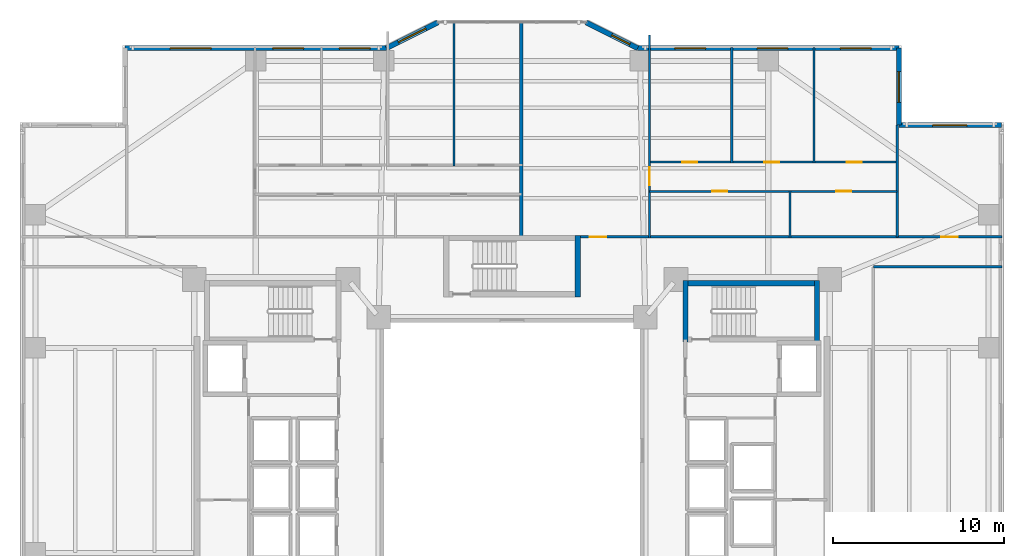
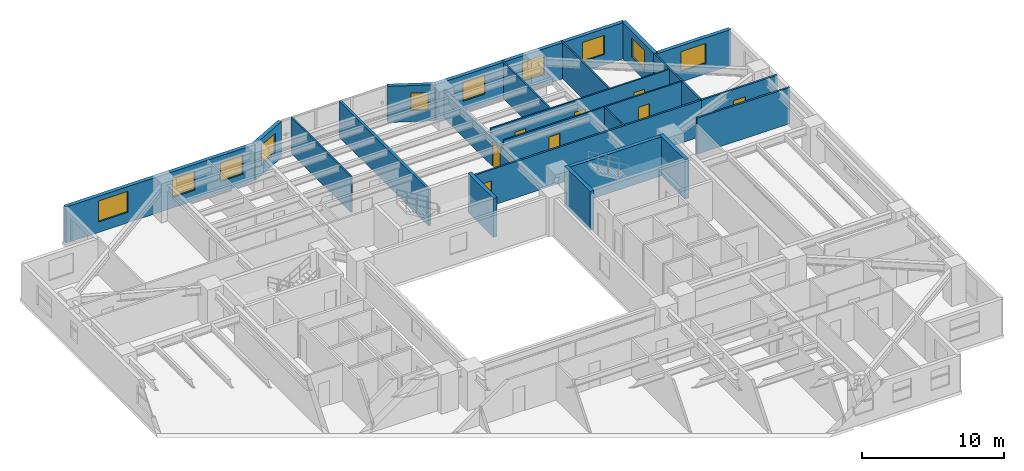
# One storey, part 14 of 20: 23 walls, 10 windows, 8 doors, 18 openings.
"""IFC4 building model written with IfcOpenShell, lengths in metres."""

from ifc_helpers import new_model, si_unit, direction, frame, frame_2d, origin, place, context, subcontext, project, spatial, rectangle, extrude, material, layer, layer_set, type_object, element, fill, save


model = new_model("IFC4")

# Units and contexts
model_context = context("Model", 3, precision=1e-05, world=origin(), true_north=direction((0.0, 1.0)))
body_context = subcontext(model_context, "Body", "Model", "MODEL_VIEW")
ifc_project = project(units=[si_unit("LENGTHUNIT", "METRE"), si_unit("AREAUNIT", "SQUARE_METRE"), si_unit("VOLUMEUNIT", "CUBIC_METRE"), si_unit("PLANEANGLEUNIT", "RADIAN"), si_unit("MASSUNIT", "GRAM", prefix="KILO")], contexts=[model_context])

# Site, building, storey
site_placement = place(None, origin())
site = spatial("IfcSite", under=ifc_project, at=site_placement, CompositionType="ELEMENT")
building_placement = place(site_placement, origin())
building = spatial("IfcBuilding", under=site, at=building_placement, Name="Tarnavaz Court Tower", CompositionType="ELEMENT")
storey_placement = place(building_placement, frame((0.0, 0.0, 30.699951171875)))
storey = spatial("IfcBuildingStorey", under=building, at=storey_placement, Name="L07", CompositionType="ELEMENT", Elevation=30.699951171875)

# Walls
ifc_material_1 = material(Name="Concrete C60/75", Category="concrete")
ifc_layer_1 = layer(ifc_material_1, 0.300048828125)
ifc_layer_set_1 = layer_set([ifc_layer_1], Name="Concrete C60/75")
wall_type_1 = type_object("IfcWallType", Name="WL-CORE-300-C60", PredefinedType="SHEAR", material=ifc_layer_set_1)
wall_1_placement = place(storey_placement, frame((10.0, 9.7900390625, 0.0), z_axis=(0.0, 0.0, 1.0), x_axis=(1.0, 0.0, 0.0)))
element("IfcWall", 1, at=wall_1_placement, inside=storey, type_object=wall_type_1, Name="L07 East Stair Core Wall 005", PredefinedType="SHEAR", context=body_context, shape_type="SweptSolid", body=[
    extrude(rectangle(XDim=8.0, YDim=0.300048828125, at=frame_2d((4.0, 0.0))), origin(), (0.0, 0.0, 1.0), 3.35009765625),
])
for number, where, z_axis, x_axis, name in (
    (2, (10.14990234375, 6.35009765625, 0.0), (0.0, 0.0, 1.0), (0.0, 1.0, 0.0), "L07 East Stair Core Wall 007"),
    (3, (17.85009765625, 6.35009765625, 0.0), (0.0, 0.0, 1.0), (0.0, 1.0, 0.0), "L07 East Stair Core Wall 008"),
):
    element("IfcWall", number, at=place(storey_placement, frame(where, z_axis=z_axis, x_axis=x_axis)), inside=storey, type_object=wall_type_1, Name=name, PredefinedType="SHEAR", context=body_context, shape_type="SweptSolid", body=[
        extrude(rectangle(XDim=3.58984375, YDim=0.300048828125, at=frame_2d((1.794921875, 0.0))), origin(), (0.0, 0.0, 1.0), 3.35009765625),
    ])
wall_2_placement = place(storey_placement, frame((3.85009765625, 9.0, 0.0), z_axis=(0.0, 0.0, 1.0), x_axis=(0.0, 1.0, 0.0)))
element("IfcWall", 4, at=wall_2_placement, inside=storey, type_object=wall_type_1, Name="L07 North Stair Core Wall 012", PredefinedType="SHEAR", context=body_context, shape_type="SweptSolid", body=[
    extrude(rectangle(XDim=3.590087890625, YDim=0.300048828125, at=frame_2d((1.794921875, 0.0))), origin(), (0.0, 0.0, 1.0), 3.35009765625),
])

# Wall, openings, windows
ifc_material_2 = material(Name="Precast Concrete C40/50", Category="concrete")
ifc_layer_2 = layer(ifc_material_2, 0.300048828125)
ifc_layer_set_2 = layer_set([ifc_layer_2], Name="Precast Concrete C40/50")
wall_type_2 = type_object("IfcWallType", Name="WL-EXT-300", PredefinedType="SOLIDWALL", material=ifc_layer_set_2)
wall_3_placement = place(storey_placement, frame((-22.64990234375, 23.550048828125, 0.0), z_axis=(0.0, 0.0, 1.0), x_axis=(1.0, 0.0, 0.0)))
wall_3 = element("IfcWall", 5, at=wall_3_placement, inside=storey, type_object=wall_type_2, Name="L07 Exterior Terracotta Facade Wall 05", PredefinedType="SOLIDWALL", context=body_context, shape_type="SweptSolid", body=[
    extrude(rectangle(XDim=15.2998046875, YDim=0.300048828125, at=frame_2d((7.64990234375, 0.0))), origin(), (0.0, 0.0, 1.0), 3.10009765625),
])
opening_1_placement = place(wall_3_placement, frame((2.637451171875, 0.0, 0.89990234375)))
opening_1 = element("IfcOpeningElement", 6, at=opening_1_placement, cuts=wall_3, Name="Opening W06", PredefinedType="OPENING", context=body_context, shape_type="SweptSolid", body=[
    extrude(rectangle(XDim=2.39990234375, YDim=1.800048828125, at=frame_2d((1.199951171875, 0.89990234375))), frame((0.0, 0.159912109375, 0.0), z_axis=(0.0, -1.0, 0.0), x_axis=(1.0, 0.0, 0.0)), (0.0, 0.0, 1.0), 0.320068359375),
])
opening_2_placement = place(wall_3_placement, frame((8.65625, 0.0, 0.89990234375)))
opening_2 = element("IfcOpeningElement", 7, at=opening_2_placement, cuts=wall_3, Name="Opening W01", PredefinedType="OPENING", context=body_context, shape_type="SweptSolid", body=[
    extrude(rectangle(XDim=1.800048828125, YDim=1.64990234375, at=frame_2d((0.89990234375, 0.824951171875))), frame((0.0, 0.159912109375, 0.0), z_axis=(0.0, -1.0, 0.0), x_axis=(1.0, 0.0, 0.0)), (0.0, 0.0, 1.0), 0.320068359375),
])
opening_3_placement = place(wall_3_placement, frame((12.5439453125, 0.0, 0.89990234375)))
opening_3 = element("IfcOpeningElement", 8, at=opening_3_placement, cuts=wall_3, Name="Opening W01", PredefinedType="OPENING", context=body_context, shape_type="SweptSolid", body=[
    extrude(rectangle(XDim=1.800048828125, YDim=1.64990234375, at=frame_2d((0.89990234375, 0.824951171875))), frame((0.0, 0.159912109375, 0.0), z_axis=(0.0, -1.0, 0.0), x_axis=(1.0, 0.0, 0.0)), (0.0, 0.0, 1.0), 0.320068359375),
])
ifc_material_3 = material(Name="Double-Glazed Solar Low-E Glass", Category="glass")
window_type_1 = type_object("IfcWindowType", Name="WN-APT-1800", PartitioningType="DOUBLE_PANEL_VERTICAL", PredefinedType="WINDOW", material=ifc_material_3)
window_1_placement = place(opening_2_placement, origin())
window_1 = element("IfcWindow", 9, at=window_1_placement, inside=storey, type_object=window_type_1, Name="L07 Flat 01 Principal Bedroom Window", OverallHeight=1.64990234375, OverallWidth=1.800048828125, PartitioningType="SINGLE_PANEL", PredefinedType="WINDOW", context=body_context, shape_type="SweptSolid", body=[
    extrude(rectangle(XDim=1.800048828125, YDim=1.64990234375, at=frame_2d((0.89990234375, 0.824951171875))), frame((0.0, 0.030029296875, 0.0), z_axis=(0.0, -1.0, 0.0), x_axis=(1.0, 0.0, 0.0)), (0.0, 0.0, 1.0), 0.06005859375),
])
fill(opening_2, window_1)
window_2_placement = place(opening_3_placement, origin())
window_2 = element("IfcWindow", 10, at=window_2_placement, inside=storey, type_object=window_type_1, Name="L07 Flat 01 Bedroom 2 Window", OverallHeight=1.64990234375, OverallWidth=1.800048828125, PartitioningType="SINGLE_PANEL", PredefinedType="WINDOW", context=body_context, shape_type="SweptSolid", body=[
    extrude(rectangle(XDim=1.800048828125, YDim=1.64990234375, at=frame_2d((0.89990234375, 0.824951171875))), frame((0.0, 0.030029296875, 0.0), z_axis=(0.0, -1.0, 0.0), x_axis=(1.0, 0.0, 0.0)), (0.0, 0.0, 1.0), 0.06005859375),
])
fill(opening_3, window_2)
window_type_2 = type_object("IfcWindowType", Name="WN-APT-2400", PartitioningType="TRIPLE_PANEL_VERTICAL", PredefinedType="WINDOW", material=ifc_material_3)
window_3_placement = place(opening_1_placement, origin())
window_3 = element("IfcWindow", 11, at=window_3_placement, inside=storey, type_object=window_type_2, Name="L07 Flat 01 Living and Dining Room Window", OverallHeight=1.800048828125, OverallWidth=2.39990234375, PartitioningType="SINGLE_PANEL", PredefinedType="WINDOW", context=body_context, shape_type="SweptSolid", body=[
    extrude(rectangle(XDim=2.39990234375, YDim=1.800048828125, at=frame_2d((1.199951171875, 0.89990234375))), frame((0.0, 0.030029296875, 0.0), z_axis=(0.0, -1.0, 0.0), x_axis=(1.0, 0.0, 0.0)), (0.0, 0.0, 1.0), 0.06005859375),
])
fill(opening_1, window_3)

# Wall, opening, window
wall_4_placement = place(storey_placement, frame((-7.35009765625, 23.550048828125, 0.0), z_axis=(0.0, 0.0, 1.0), x_axis=(0.894427191, 0.4472135955, 0.0)))
wall_4 = element("IfcWall", 12, at=wall_4_placement, inside=storey, type_object=wall_type_2, Name="L07 Exterior Terracotta Facade Wall 06", PredefinedType="SOLIDWALL", context=body_context, shape_type="SweptSolid", body=[
    extrude(rectangle(XDim=3.35400390625, YDim=0.300048828125, at=frame_2d((1.677001953125, 0.0))), origin(), (0.0, 0.0, 1.0), 3.10009765625),
])
opening_4_placement = place(wall_4_placement, frame((0.777099609375, 0.0, 0.89990234375)))
opening_4 = element("IfcOpeningElement", 13, at=opening_4_placement, cuts=wall_4, Name="Opening W01", PredefinedType="OPENING", context=body_context, shape_type="SweptSolid", body=[
    extrude(rectangle(XDim=1.800048828125, YDim=1.64990234375, at=frame_2d((0.89990234375, 0.824951171875))), frame((0.0, 0.159912109375, 0.0), z_axis=(0.0, -1.0, 0.0), x_axis=(1.0, 0.0, 0.0)), (0.0, 0.0, 1.0), 0.320068359375),
])
window_4_placement = place(opening_4_placement, origin())
window_4 = element("IfcWindow", 14, at=window_4_placement, inside=storey, type_object=window_type_1, Name="L07 Flat 01 Bedroom 3 Window", OverallHeight=1.64990234375, OverallWidth=1.800048828125, PartitioningType="SINGLE_PANEL", PredefinedType="WINDOW", context=body_context, shape_type="SweptSolid", body=[
    extrude(rectangle(XDim=1.800048828125, YDim=1.64990234375, at=frame_2d((0.89990234375, 0.824951171875))), frame((0.0, 0.030029296875, 0.0), z_axis=(0.0, -1.0, 0.0), x_axis=(1.0, 0.0, 0.0)), (0.0, 0.0, 1.0), 0.06005859375),
])
fill(opening_4, window_4)

wall_5_placement = place(storey_placement, frame((4.35009765625, 25.050048828125, 0.0), z_axis=(0.0, 0.0, 1.0), x_axis=(0.894427191, -0.4472135955, 0.0)))
wall_5 = element("IfcWall", 15, at=wall_5_placement, inside=storey, type_object=wall_type_2, Name="L07 Exterior Terracotta Facade Wall 08", PredefinedType="SOLIDWALL", context=body_context, shape_type="SweptSolid", body=[
    extrude(rectangle(XDim=3.35400390625, YDim=0.300048828125, at=frame_2d((1.677001953125, 0.0))), origin(), (0.0, 0.0, 1.0), 3.10009765625),
])
opening_5_placement = place(wall_5_placement, frame((1.65283203125, 0.0, 0.949951171875)))
opening_5 = element("IfcOpeningElement", 16, at=opening_5_placement, cuts=wall_5, Name="Opening W05", PredefinedType="OPENING", context=body_context, shape_type="SweptSolid", body=[
    extrude(rectangle(XDim=1.199951171875, YDim=1.5, at=frame_2d((0.60009765625, 0.75))), frame((0.0, 0.159912109375, 0.0), z_axis=(0.0, -1.0, 0.0), x_axis=(1.0, 0.0, 0.0)), (0.0, 0.0, 1.0), 0.320068359375),
])
window_type_3 = type_object("IfcWindowType", Name="WN-APT-1200", PartitioningType="SINGLE_PANEL", PredefinedType="WINDOW", material=ifc_material_3)
window_5_placement = place(opening_5_placement, origin())
window_5 = element("IfcWindow", 17, at=window_5_placement, inside=storey, type_object=window_type_3, Name="L07 Flat 02 Living and Dining Room Window", OverallHeight=1.5, OverallWidth=1.199951171875, PartitioningType="SINGLE_PANEL", PredefinedType="WINDOW", context=body_context, shape_type="SweptSolid", body=[
    extrude(rectangle(XDim=1.199951171875, YDim=1.5, at=frame_2d((0.60009765625, 0.75))), frame((0.0, 0.030029296875, 0.0), z_axis=(0.0, -1.0, 0.0), x_axis=(1.0, 0.0, 0.0)), (0.0, 0.0, 1.0), 0.06005859375),
])
fill(opening_5, window_5)

# Wall, openings, windows
wall_6_placement = place(storey_placement, frame((7.35009765625, 23.550048828125, 0.0), z_axis=(0.0, 0.0, 1.0), x_axis=(1.0, 0.0, 0.0)))
wall_6 = element("IfcWall", 18, at=wall_6_placement, inside=storey, type_object=wall_type_2, Name="L07 Exterior Terracotta Facade Wall 09", PredefinedType="SOLIDWALL", context=body_context, shape_type="SweptSolid", body=[
    extrude(rectangle(XDim=15.2998046875, YDim=0.300048828125, at=frame_2d((7.64990234375, 0.0))), origin(), (0.0, 0.0, 1.0), 3.10009765625),
])
opening_6_placement = place(wall_6_placement, frame((2.18505859375, 0.0, 0.89990234375)))
opening_6 = element("IfcOpeningElement", 19, at=opening_6_placement, cuts=wall_6, Name="Opening W01", PredefinedType="OPENING", context=body_context, shape_type="SweptSolid", body=[
    extrude(rectangle(XDim=1.800048828125, YDim=1.64990234375, at=frame_2d((0.89990234375, 0.824951171875))), frame((0.0, 0.159912109375, 0.0), z_axis=(0.0, -1.0, 0.0), x_axis=(1.0, 0.0, 0.0)), (0.0, 0.0, 1.0), 0.320068359375),
])
opening_7_placement = place(wall_6_placement, frame((7.000732421875, 0.0, 0.89990234375)))
opening_7 = element("IfcOpeningElement", 20, at=opening_7_placement, cuts=wall_6, Name="Opening W01", PredefinedType="OPENING", context=body_context, shape_type="SweptSolid", body=[
    extrude(rectangle(XDim=1.800048828125, YDim=1.64990234375, at=frame_2d((0.89990234375, 0.824951171875))), frame((0.0, 0.159912109375, 0.0), z_axis=(0.0, -1.0, 0.0), x_axis=(1.0, 0.0, 0.0)), (0.0, 0.0, 1.0), 0.320068359375),
])
opening_8_placement = place(wall_6_placement, frame((11.86669921875, 0.0, 0.89990234375)))
opening_8 = element("IfcOpeningElement", 21, at=opening_8_placement, cuts=wall_6, Name="Opening W01", PredefinedType="OPENING", context=body_context, shape_type="SweptSolid", body=[
    extrude(rectangle(XDim=1.800048828125, YDim=1.64990234375, at=frame_2d((0.89990234375, 0.824951171875))), frame((0.0, 0.159912109375, 0.0), z_axis=(0.0, -1.0, 0.0), x_axis=(1.0, 0.0, 0.0)), (0.0, 0.0, 1.0), 0.320068359375),
])
window_6_placement = place(opening_6_placement, origin())
window_6 = element("IfcWindow", 22, at=window_6_placement, inside=storey, type_object=window_type_1, Name="L07 Flat 02 Principal Bedroom Window", OverallHeight=1.64990234375, OverallWidth=1.800048828125, PartitioningType="SINGLE_PANEL", PredefinedType="WINDOW", context=body_context, shape_type="SweptSolid", body=[
    extrude(rectangle(XDim=1.800048828125, YDim=1.64990234375, at=frame_2d((0.89990234375, 0.824951171875))), frame((0.0, 0.030029296875, 0.0), z_axis=(0.0, -1.0, 0.0), x_axis=(1.0, 0.0, 0.0)), (0.0, 0.0, 1.0), 0.06005859375),
])
fill(opening_6, window_6)
window_7_placement = place(opening_7_placement, origin())
window_7 = element("IfcWindow", 23, at=window_7_placement, inside=storey, type_object=window_type_1, Name="L07 Flat 02 Bedroom 2 Window", OverallHeight=1.64990234375, OverallWidth=1.800048828125, PartitioningType="SINGLE_PANEL", PredefinedType="WINDOW", context=body_context, shape_type="SweptSolid", body=[
    extrude(rectangle(XDim=1.800048828125, YDim=1.64990234375, at=frame_2d((0.89990234375, 0.824951171875))), frame((0.0, 0.030029296875, 0.0), z_axis=(0.0, -1.0, 0.0), x_axis=(1.0, 0.0, 0.0)), (0.0, 0.0, 1.0), 0.06005859375),
])
fill(opening_7, window_7)
window_8_placement = place(opening_8_placement, origin())
window_8 = element("IfcWindow", 24, at=window_8_placement, inside=storey, type_object=window_type_1, Name="L07 Flat 02 Bedroom 3 Window", OverallHeight=1.64990234375, OverallWidth=1.800048828125, PartitioningType="SINGLE_PANEL", PredefinedType="WINDOW", context=body_context, shape_type="SweptSolid", body=[
    extrude(rectangle(XDim=1.800048828125, YDim=1.64990234375, at=frame_2d((0.89990234375, 0.824951171875))), frame((0.0, 0.030029296875, 0.0), z_axis=(0.0, -1.0, 0.0), x_axis=(1.0, 0.0, 0.0)), (0.0, 0.0, 1.0), 0.06005859375),
])
fill(opening_8, window_8)

# Wall, opening, window
wall_7_placement = place(storey_placement, frame((22.64990234375, 23.550048828125, 0.0), z_axis=(0.0, 0.0, 1.0), x_axis=(0.0, -1.0, 0.0)))
wall_7 = element("IfcWall", 25, at=wall_7_placement, inside=storey, type_object=wall_type_2, Name="L07 Exterior Terracotta Facade Wall 10", PredefinedType="SOLIDWALL", context=body_context, shape_type="SweptSolid", body=[
    extrude(rectangle(XDim=4.5, YDim=0.300048828125, at=frame_2d((2.25, 0.0))), origin(), (0.0, 0.0, 1.0), 3.10009765625),
])
opening_9_placement = place(wall_7_placement, frame((1.367431640625, 0.0, 0.89990234375)))
opening_9 = element("IfcOpeningElement", 26, at=opening_9_placement, cuts=wall_7, Name="Opening W01", PredefinedType="OPENING", context=body_context, shape_type="SweptSolid", body=[
    extrude(rectangle(XDim=1.800048828125, YDim=1.64990234375, at=frame_2d((0.89990234375, 0.824951171875))), frame((0.0, 0.159912109375, 0.0), z_axis=(0.0, -1.0, 0.0), x_axis=(1.0, 0.0, 0.0)), (0.0, 0.0, 1.0), 0.320068359375),
])
window_9_placement = place(opening_9_placement, origin())
window_9 = element("IfcWindow", 27, at=window_9_placement, inside=storey, type_object=window_type_1, Name="L07 Flat 02 Bedroom 3 Window", OverallHeight=1.64990234375, OverallWidth=1.800048828125, PartitioningType="SINGLE_PANEL", PredefinedType="WINDOW", context=body_context, shape_type="SweptSolid", body=[
    extrude(rectangle(XDim=1.800048828125, YDim=1.64990234375, at=frame_2d((0.89990234375, 0.824951171875))), frame((0.0, 0.030029296875, 0.0), z_axis=(0.0, -1.0, 0.0), x_axis=(1.0, 0.0, 0.0)), (0.0, 0.0, 1.0), 0.06005859375),
])
fill(opening_9, window_9)

wall_8_placement = place(storey_placement, frame((22.64990234375, 19.050048828125, 0.0), z_axis=(0.0, 0.0, 1.0), x_axis=(1.0, 0.0, 0.0)))
wall_8 = element("IfcWall", 28, at=wall_8_placement, inside=storey, type_object=wall_type_2, Name="L07 Exterior Terracotta Facade Wall 11", PredefinedType="SOLIDWALL", context=body_context, shape_type="SweptSolid", body=[
    extrude(rectangle(XDim=6.0, YDim=0.300048828125, at=frame_2d((3.0, 0.0))), origin(), (0.0, 0.0, 1.0), 3.10009765625),
])
opening_10_placement = place(wall_8_placement, frame((1.97509765625, 0.0, 0.89990234375)))
opening_10 = element("IfcOpeningElement", 29, at=opening_10_placement, cuts=wall_8, Name="Opening W08", PredefinedType="OPENING", context=body_context, shape_type="SweptSolid", body=[
    extrude(rectangle(XDim=2.0, YDim=1.699951171875, at=frame_2d((1.0, 0.85009765625))), frame((0.0, 0.159912109375, 0.0), z_axis=(0.0, -1.0, 0.0), x_axis=(1.0, 0.0, 0.0)), (0.0, 0.0, 1.0), 0.320068359375),
])
window_type_4 = type_object("IfcWindowType", Name="WN-APT-2000", PartitioningType="DOUBLE_PANEL_VERTICAL", PredefinedType="WINDOW", material=ifc_material_3)
window_10_placement = place(opening_10_placement, origin())
window_10 = element("IfcWindow", 30, at=window_10_placement, inside=storey, type_object=window_type_4, Name="L07 North-East Corner Sunroom Study Window", OverallHeight=1.699951171875, OverallWidth=2.0, PartitioningType="SINGLE_PANEL", PredefinedType="WINDOW", context=body_context, shape_type="SweptSolid", body=[
    extrude(rectangle(XDim=2.0, YDim=1.699951171875, at=frame_2d((1.0, 0.85009765625))), frame((0.0, 0.030029296875, 0.0), z_axis=(0.0, -1.0, 0.0), x_axis=(1.0, 0.0, 0.0)), (0.0, 0.0, 1.0), 0.06005859375),
])
fill(opening_10, window_10)

# Wall, opening, door
ifc_material_4 = material(Name="Gypsum Fire-Board on Acoustic Metal Stud", Category="masonry")
ifc_layer_3 = layer(ifc_material_4, 0.14990234375)
ifc_layer_set_3 = layer_set([ifc_layer_3], Name="Gypsum Fire-Board on Acoustic Metal Stud")
wall_type_3 = type_object("IfcWallType", Name="WL-FIRE-150", PredefinedType="PARTITIONING", material=ifc_layer_set_3)
wall_9_placement = place(storey_placement, frame((3.85009765625, 12.5, 0.0), z_axis=(0.0, 0.0, 1.0), x_axis=(1.0, 0.0, 0.0)))
wall_9 = element("IfcWall", 31, at=wall_9_placement, inside=storey, type_object=wall_type_3, Name="L07 NE Wing Corridor Wall 082", PredefinedType="PARTITIONING", context=body_context, shape_type="SweptSolid", body=[
    extrude(rectangle(XDim=18.699951171875, YDim=0.14990234375, at=frame_2d((9.35009765625, 0.0))), origin(), (0.0, 0.0, 1.0), 3.10009765625),
])
opening_11_placement = place(wall_9_placement, frame((0.699951171875, 0.0, 0.0)))
opening_11 = element("IfcOpeningElement", 32, at=opening_11_placement, cuts=wall_9, Name="Opening D06", PredefinedType="OPENING", context=body_context, shape_type="SweptSolid", body=[
    extrude(rectangle(XDim=0.9599609375, YDim=2.14990234375, at=frame_2d((0.47998046875, 1.074951171875))), frame((0.0, 0.0849609375, 0.0), z_axis=(0.0, -1.0, 0.0), x_axis=(1.0, 0.0, 0.0)), (0.0, 0.0, 1.0), 0.169921875),
])
ifc_material_5 = material(Name="Fire-Rated Hardwood Timber Core", Category="wood")
door_type_1 = type_object("IfcDoorType", Name="DR-FD60-950", OperationType="NOTDEFINED", PredefinedType="DOOR", material=ifc_material_5)
door_1_placement = place(opening_11_placement, origin())
door_1 = element("IfcDoor", 33, at=door_1_placement, inside=storey, type_object=door_type_1, Name="L07 Flat 02 Entrance Door", OperationType="SINGLE_SWING_LEFT", OverallHeight=2.14990234375, OverallWidth=0.9599609375, PredefinedType="DOOR", context=body_context, shape_type="SweptSolid", body=[
    extrude(rectangle(XDim=0.9599609375, YDim=2.14990234375, at=frame_2d((0.47998046875, 1.074951171875))), frame((0.0, 0.02490234375, 0.0), z_axis=(0.0, -1.0, 0.0), x_axis=(1.0, 0.0, 0.0)), (0.0, 0.0, 1.0), 0.050048828125),
])
fill(opening_11, door_1)

# Wall
wall_10_placement = place(storey_placement, frame((21.14990234375, 10.75, 0.0), z_axis=(0.0, 0.0, 1.0), x_axis=(1.0, 0.0, 0.0)))
element("IfcWall", 34, at=wall_10_placement, inside=storey, type_object=wall_type_3, Name="L07 Interior Partition 124", PredefinedType="PARTITIONING", context=body_context, shape_type="SweptSolid", body=[
    extrude(rectangle(XDim=7.530029296875, YDim=0.14990234375, at=frame_2d((3.76513671875, 0.0))), origin(), (0.0, 0.0, 1.0), 3.10009765625),
])

# Wall, opening, door
wall_11_placement = place(storey_placement, frame((22.550048828125, 12.5, 0.0), z_axis=(0.0, 0.0, 1.0), x_axis=(1.0, 0.0, 0.0)))
wall_11 = element("IfcWall", 35, at=wall_11_placement, inside=storey, type_object=wall_type_3, Name="L07 Interior Partition 130", PredefinedType="PARTITIONING", context=body_context, shape_type="SweptSolid", body=[
    extrude(rectangle(XDim=6.1298828125, YDim=0.14990234375, at=frame_2d((3.06494140625, 0.0))), origin(), (0.0, 0.0, 1.0), 3.10009765625),
])
opening_12_placement = place(wall_11_placement, frame((2.590087890625, 0.0, 0.0)))
opening_12 = element("IfcOpeningElement", 36, at=opening_12_placement, cuts=wall_11, Name="Opening D13", PredefinedType="OPENING", context=body_context, shape_type="SweptSolid", body=[
    extrude(rectangle(XDim=0.949951171875, YDim=2.14990234375, at=frame_2d((0.47509765625, 1.074951171875))), frame((0.0, 0.0849609375, 0.0), z_axis=(0.0, -1.0, 0.0), x_axis=(1.0, 0.0, 0.0)), (0.0, 0.0, 1.0), 0.169921875),
])
ifc_material_6 = material(Name="Engineered Oak Timber", Category="wood")
door_type_2 = type_object("IfcDoorType", Name="DR-INT-950", OperationType="NOTDEFINED", PredefinedType="DOOR", material=ifc_material_6)
door_2_placement = place(opening_12_placement, origin())
door_2 = element("IfcDoor", 37, at=door_2_placement, inside=storey, type_object=door_type_2, Name="L07 NE Sunroom Door", OperationType="SINGLE_SWING_RIGHT", OverallHeight=2.14990234375, OverallWidth=0.949951171875, PredefinedType="DOOR", context=body_context, shape_type="SweptSolid", body=[
    extrude(rectangle(XDim=0.949951171875, YDim=2.14990234375, at=frame_2d((0.47509765625, 1.074951171875))), frame((0.0, 0.02490234375, 0.0), z_axis=(0.0, -1.0, 0.0), x_axis=(1.0, 0.0, 0.0)), (0.0, 0.0, 1.0), 0.050048828125),
])
fill(opening_12, door_2)

# Walls
ifc_material_7 = material(Name="Autoclaved Aerated Concrete Blockwork", Category="masonry")
ifc_layer_4 = layer(ifc_material_7, 0.199951171875)
ifc_layer_set_4 = layer_set([ifc_layer_4], Name="Autoclaved Aerated Concrete Blockwork")
wall_type_4 = type_object("IfcWallType", Name="WL-FIRE-200", PredefinedType="SOLIDWALL", material=ifc_layer_set_4)
wall_12_placement = place(storey_placement, frame((0.550048828125, 12.5, 0.0), z_axis=(0.0, 0.0, 1.0), x_axis=(0.0, 1.0, 0.0)))
element("IfcWall", 38, at=wall_12_placement, inside=storey, type_object=wall_type_4, Name="L07 North Center Party Wall 087", PredefinedType="SOLIDWALL", context=body_context, shape_type="SweptSolid", body=[
    extrude(rectangle(XDim=12.580078125, YDim=0.199951171875, at=frame_2d((6.2900390625, 0.0))), origin(), (0.0, 0.0, 1.0), 3.10009765625),
])
ifc_material_8 = material(Name="Moisture-Resistant Gypsum Board Partition", Category="masonry")
ifc_layer_5 = layer(ifc_material_8, 0.1201171875)
ifc_layer_set_5 = layer_set([ifc_layer_5], Name="Moisture-Resistant Gypsum Board Partition")
wall_type_5 = type_object("IfcWallType", Name="WL-PART-120", PredefinedType="PARTITIONING", material=ifc_layer_set_5)
wall_13_placement = place(storey_placement, frame((-3.39111328125, 16.64990234375, 0.0), z_axis=(0.0, 0.0, 1.0), x_axis=(0.0, 1.0, 0.0)))
element("IfcWall", 39, at=wall_13_placement, inside=storey, type_object=wall_type_5, Name="L07 Interior Partition 095", PredefinedType="PARTITIONING", context=body_context, shape_type="SweptSolid", body=[
    extrude(rectangle(XDim=8.43017578125, YDim=0.1201171875, at=frame_2d((4.215087890625, 0.0))), origin(), (0.0, 0.0, 1.0), 3.10009765625),
])

# Wall, opening, door
wall_14_placement = place(storey_placement, frame((8.049072265625, 12.43994140625, 0.0), z_axis=(0.0, 0.0, 1.0), x_axis=(0.0, 1.0, 0.0)))
wall_14 = element("IfcWall", 40, at=wall_14_placement, inside=storey, type_object=wall_type_5, Name="L07 Interior Partition 096", PredefinedType="PARTITIONING", context=body_context, shape_type="SweptSolid", body=[
    extrude(rectangle(XDim=11.887939453125, YDim=0.1201171875, at=frame_2d((5.94384765625, 0.0))), origin(), (0.0, 0.0, 1.0), 2.43505859375),
])
opening_13_placement = place(wall_14_placement, frame((3.074951171875, 0.0, 0.0)))
opening_13 = element("IfcOpeningElement", 41, at=opening_13_placement, cuts=wall_14, Name="Opening D12", PredefinedType="OPENING", context=body_context, shape_type="SweptSolid", body=[
    extrude(rectangle(XDim=1.080078125, YDim=2.14990234375, at=frame_2d((0.5400390625, 1.074951171875))), frame((0.0, 0.070068359375, 0.0), z_axis=(0.0, -1.0, 0.0), x_axis=(1.0, 0.0, 0.0)), (0.0, 0.0, 1.0), 0.14013671875),
])
door_type_3 = type_object("IfcDoorType", Name="DR-INT-1100", OperationType="NOTDEFINED", PredefinedType="DOOR", material=ifc_material_6)
door_3_placement = place(opening_13_placement, origin())
door_3 = element("IfcDoor", 42, at=door_3_placement, inside=storey, type_object=door_type_3, Name="L07 Flat 02 Foyer Door", OperationType="SINGLE_SWING_RIGHT", OverallHeight=2.14990234375, OverallWidth=1.080078125, PredefinedType="DOOR", context=body_context, shape_type="SweptSolid", body=[
    extrude(rectangle(XDim=1.080078125, YDim=2.14990234375, at=frame_2d((0.5400390625, 1.074951171875))), frame((0.0, 0.02490234375, 0.0), z_axis=(0.0, -1.0, 0.0), x_axis=(1.0, 0.0, 0.0)), (0.0, 0.0, 1.0), 0.050048828125),
])
fill(opening_13, door_3)

wall_15_placement = place(storey_placement, frame((8.049072265625, 15.169921875, 0.0), z_axis=(0.0, 0.0, 1.0), x_axis=(1.0, 0.0, 0.0)))
wall_15 = element("IfcWall", 43, at=wall_15_placement, inside=storey, type_object=wall_type_5, Name="L07 Interior Partition 097", PredefinedType="PARTITIONING", context=body_context, shape_type="SweptSolid", body=[
    extrude(rectangle(XDim=8.23095703125, YDim=0.1201171875, at=frame_2d((4.115478515625, 0.0))), origin(), (0.0, 0.0, 1.0), 3.10009765625),
])
opening_14_placement = place(wall_15_placement, frame((3.676025390625, 0.0, 0.0)))
opening_14 = element("IfcOpeningElement", 44, at=opening_14_placement, cuts=wall_15, Name="Opening D14", PredefinedType="OPENING", context=body_context, shape_type="SweptSolid", body=[
    extrude(rectangle(XDim=0.8798828125, YDim=2.10009765625, at=frame_2d((0.43994140625, 1.050048828125))), frame((0.0, 0.070068359375, 0.0), z_axis=(0.0, -1.0, 0.0), x_axis=(1.0, 0.0, 0.0)), (0.0, 0.0, 1.0), 0.14013671875),
])
door_type_4 = type_object("IfcDoorType", Name="DR-INT-900", OperationType="NOTDEFINED", PredefinedType="DOOR", material=ifc_material_6)
door_4_placement = place(opening_14_placement, origin())
door_4 = element("IfcDoor", 45, at=door_4_placement, inside=storey, type_object=door_type_4, Name="L07 Flat 02 Kitchen Door", OperationType="SINGLE_SWING_LEFT", OverallHeight=2.10009765625, OverallWidth=0.8798828125, PredefinedType="DOOR", context=body_context, shape_type="SweptSolid", body=[
    extrude(rectangle(XDim=0.8798828125, YDim=2.10009765625, at=frame_2d((0.43994140625, 1.050048828125))), frame((0.0, 0.02490234375, 0.0), z_axis=(0.0, -1.0, 0.0), x_axis=(1.0, 0.0, 0.0)), (0.0, 0.0, 1.0), 0.050048828125),
])
fill(opening_14, door_4)

wall_16_placement = place(storey_placement, frame((16.280029296875, 15.169921875, 0.0), z_axis=(0.0, 0.0, 1.0), x_axis=(1.0, 0.0, 0.0)))
wall_16 = element("IfcWall", 46, at=wall_16_placement, inside=storey, type_object=wall_type_5, Name="L07 Interior Partition 098", PredefinedType="PARTITIONING", context=body_context, shape_type="SweptSolid", body=[
    extrude(rectangle(XDim=6.27001953125, YDim=0.1201171875, at=frame_2d((3.135009765625, 0.0))), origin(), (0.0, 0.0, 1.0), 3.10009765625),
])
opening_15_placement = place(wall_16_placement, frame((2.695068359375, 0.0, 0.0)))
opening_15 = element("IfcOpeningElement", 47, at=opening_15_placement, cuts=wall_16, Name="Opening D14", PredefinedType="OPENING", context=body_context, shape_type="SweptSolid", body=[
    extrude(rectangle(XDim=0.8798828125, YDim=2.10009765625, at=frame_2d((0.43994140625, 1.050048828125))), frame((0.0, 0.070068359375, 0.0), z_axis=(0.0, -1.0, 0.0), x_axis=(1.0, 0.0, 0.0)), (0.0, 0.0, 1.0), 0.14013671875),
])
door_5_placement = place(opening_15_placement, origin())
door_5 = element("IfcDoor", 48, at=door_5_placement, inside=storey, type_object=door_type_4, Name="L07 Flat 02 Bathroom Door", OperationType="SINGLE_SWING_RIGHT", OverallHeight=2.10009765625, OverallWidth=0.8798828125, PredefinedType="DOOR", context=body_context, shape_type="SweptSolid", body=[
    extrude(rectangle(XDim=0.8798828125, YDim=2.10009765625, at=frame_2d((0.43994140625, 1.050048828125))), frame((0.0, 0.02490234375, 0.0), z_axis=(0.0, -1.0, 0.0), x_axis=(1.0, 0.0, 0.0)), (0.0, 0.0, 1.0), 0.050048828125),
])
fill(opening_15, door_5)

# Wall, openings, doors
wall_17_placement = place(storey_placement, frame((7.989013671875, 16.8798828125, 0.0), z_axis=(0.0, 0.0, 1.0), x_axis=(1.0, 0.0, 0.0)))
wall_17 = element("IfcWall", 49, at=wall_17_placement, inside=storey, type_object=wall_type_5, Name="L07 Interior Partition 099", PredefinedType="PARTITIONING", context=body_context, shape_type="SweptSolid", body=[
    extrude(rectangle(XDim=14.62109375, YDim=0.1201171875, at=frame_2d((7.310546875, 0.0))), origin(), (0.0, 0.0, 1.0), 3.10009765625),
])
opening_16_placement = place(wall_17_placement, frame((1.967041015625, 0.0, 0.0)))
opening_16 = element("IfcOpeningElement", 50, at=opening_16_placement, cuts=wall_17, Name="Opening D14", PredefinedType="OPENING", context=body_context, shape_type="SweptSolid", body=[
    extrude(rectangle(XDim=0.8798828125, YDim=2.10009765625, at=frame_2d((0.43994140625, 1.050048828125))), frame((0.0, 0.070068359375, 0.0), z_axis=(0.0, -1.0, 0.0), x_axis=(1.0, 0.0, 0.0)), (0.0, 0.0, 1.0), 0.14013671875),
])
opening_17_placement = place(wall_17_placement, frame((6.781005859375, 0.0, 0.0)))
opening_17 = element("IfcOpeningElement", 51, at=opening_17_placement, cuts=wall_17, Name="Opening D14", PredefinedType="OPENING", context=body_context, shape_type="SweptSolid", body=[
    extrude(rectangle(XDim=0.8798828125, YDim=2.10009765625, at=frame_2d((0.43994140625, 1.050048828125))), frame((0.0, 0.070068359375, 0.0), z_axis=(0.0, -1.0, 0.0), x_axis=(1.0, 0.0, 0.0)), (0.0, 0.0, 1.0), 0.14013671875),
])
opening_18_placement = place(wall_17_placement, frame((11.593994140625, 0.0, 0.0)))
opening_18 = element("IfcOpeningElement", 52, at=opening_18_placement, cuts=wall_17, Name="Opening D14", PredefinedType="OPENING", context=body_context, shape_type="SweptSolid", body=[
    extrude(rectangle(XDim=0.8798828125, YDim=2.10009765625, at=frame_2d((0.43994140625, 1.050048828125))), frame((0.0, 0.070068359375, 0.0), z_axis=(0.0, -1.0, 0.0), x_axis=(1.0, 0.0, 0.0)), (0.0, 0.0, 1.0), 0.14013671875),
])
door_6_placement = place(opening_16_placement, origin())
door_6 = element("IfcDoor", 53, at=door_6_placement, inside=storey, type_object=door_type_4, Name="L07 Flat 02 Bedroom 1 Door", OperationType="SINGLE_SWING_LEFT", OverallHeight=2.10009765625, OverallWidth=0.8798828125, PredefinedType="DOOR", context=body_context, shape_type="SweptSolid", body=[
    extrude(rectangle(XDim=0.8798828125, YDim=2.10009765625, at=frame_2d((0.43994140625, 1.050048828125))), frame((0.0, 0.02490234375, 0.0), z_axis=(0.0, -1.0, 0.0), x_axis=(1.0, 0.0, 0.0)), (0.0, 0.0, 1.0), 0.050048828125),
])
fill(opening_16, door_6)
door_7_placement = place(opening_17_placement, origin())
door_7 = element("IfcDoor", 54, at=door_7_placement, inside=storey, type_object=door_type_4, Name="L07 Flat 02 Bedroom 2 Door", OperationType="SINGLE_SWING_RIGHT", OverallHeight=2.10009765625, OverallWidth=0.8798828125, PredefinedType="DOOR", context=body_context, shape_type="SweptSolid", body=[
    extrude(rectangle(XDim=0.8798828125, YDim=2.10009765625, at=frame_2d((0.43994140625, 1.050048828125))), frame((0.0, 0.02490234375, 0.0), z_axis=(0.0, -1.0, 0.0), x_axis=(1.0, 0.0, 0.0)), (0.0, 0.0, 1.0), 0.050048828125),
])
fill(opening_17, door_7)
door_8_placement = place(opening_18_placement, origin())
door_8 = element("IfcDoor", 55, at=door_8_placement, inside=storey, type_object=door_type_4, Name="L07 Flat 02 Bedroom 3 Door", OperationType="SINGLE_SWING_LEFT", OverallHeight=2.10009765625, OverallWidth=0.8798828125, PredefinedType="DOOR", context=body_context, shape_type="SweptSolid", body=[
    extrude(rectangle(XDim=0.8798828125, YDim=2.10009765625, at=frame_2d((0.43994140625, 1.050048828125))), frame((0.0, 0.02490234375, 0.0), z_axis=(0.0, -1.0, 0.0), x_axis=(1.0, 0.0, 0.0)), (0.0, 0.0, 1.0), 0.050048828125),
])
fill(opening_18, door_8)

# Walls
wall_18_placement = place(storey_placement, frame((16.280029296875, 12.43994140625, 0.0), z_axis=(0.0, 0.0, 1.0), x_axis=(0.0, 1.0, 0.0)))
element("IfcWall", 56, at=wall_18_placement, inside=storey, type_object=wall_type_5, Name="L07 Interior Partition 100", PredefinedType="PARTITIONING", context=body_context, shape_type="SweptSolid", body=[
    extrude(rectangle(XDim=2.7900390625, YDim=0.1201171875, at=frame_2d((1.39501953125, 0.0))), origin(), (0.0, 0.0, 1.0), 3.10009765625),
])
for number, where, z_axis, x_axis, name in (
    (57, (12.863037109375, 16.820068359375, 0.0), (0.0, 0.0, 1.0), (0.0, 1.0, 0.0), "L07 Interior Partition 101"),
    (58, (17.676025390625, 16.820068359375, 0.0), (0.0, 0.0, 1.0), (0.0, 1.0, 0.0), "L07 Interior Partition 102"),
):
    element("IfcWall", number, at=place(storey_placement, frame(where, z_axis=z_axis, x_axis=x_axis)), inside=storey, type_object=wall_type_5, Name=name, PredefinedType="PARTITIONING", context=body_context, shape_type="SweptSolid", body=[
        extrude(rectangle(XDim=6.780029296875, YDim=0.1201171875, at=frame_2d((3.39013671875, 0.0))), origin(), (0.0, 0.0, 1.0), 3.10009765625),
    ])
ifc_material_9 = material(Name="Gypsum Plasterboard Acoustic Partition", Category="masonry")
ifc_layer_6 = layer(ifc_material_9, 0.139892578125)
ifc_layer_set_6 = layer_set([ifc_layer_6], Name="Gypsum Plasterboard Acoustic Partition")
wall_type_6 = type_object("IfcWallType", Name="WL-PART-150", PredefinedType="PARTITIONING", material=ifc_layer_set_6)
wall_19_placement = place(storey_placement, frame((22.550048828125, 12.5, 0.0), z_axis=(0.0, 0.0, 1.0), x_axis=(0.0, 1.0, 0.0)))
element("IfcWall", 59, at=wall_19_placement, inside=storey, type_object=wall_type_6, Name="L07 Interior Partition 128", PredefinedType="PARTITIONING", context=body_context, shape_type="SweptSolid", body=[
    extrude(rectangle(XDim=6.550048828125, YDim=0.139892578125, at=frame_2d((3.27490234375, 0.0))), origin(), (0.0, 0.0, 1.0), 3.10009765625),
])

save(model, "model.ifc")
